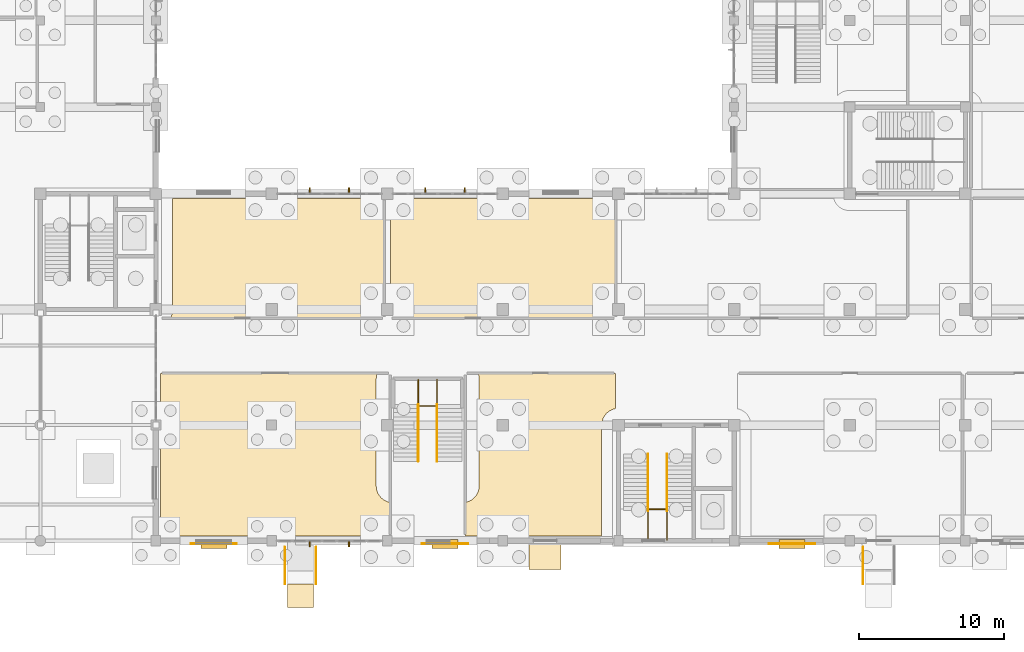
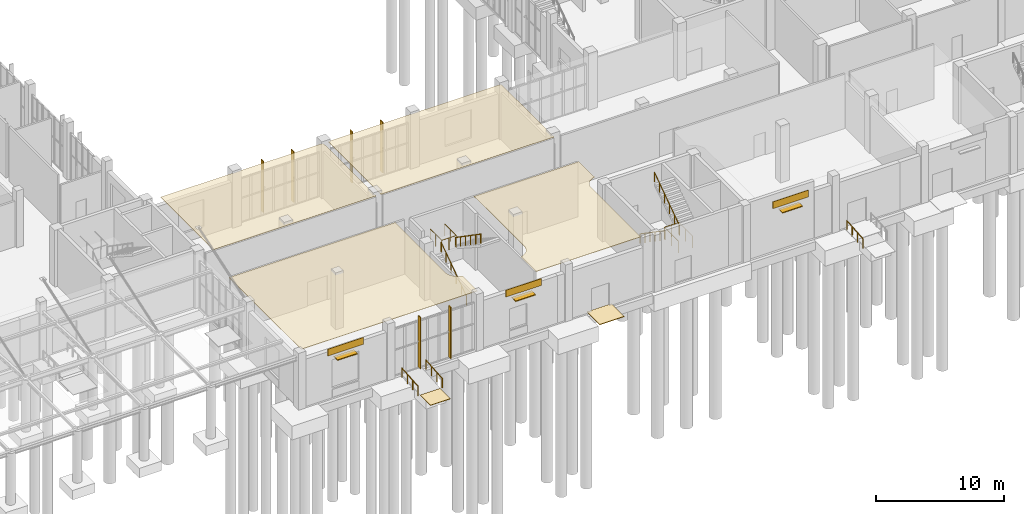
# One storey, part 62 of 69: 9 coverings, 9 railings, 9 shading devices.
"""IFC4 building model written with IfcOpenShell, lengths in metres."""

from ifc_helpers import new_model, si_unit, direction, frame, origin, origin_2d, place, context, subcontext, project, spatial, polyline, rectangle, circle, outline, extrude, material, layer, layer_set, type_object, element, save


model = new_model("IFC4")

# Units and contexts
model_context = context("Model", 3, precision=1e-05, world=origin(), true_north=direction((0.0, 1.0)))
body_context = subcontext(model_context, "Body", "Model", "MODEL_VIEW")
ifc_project = project(units=[si_unit("LENGTHUNIT", "METRE"), si_unit("AREAUNIT", "SQUARE_METRE"), si_unit("VOLUMEUNIT", "CUBIC_METRE"), si_unit("PLANEANGLEUNIT", "RADIAN"), si_unit("MASSUNIT", "GRAM", prefix="KILO")], contexts=[model_context])

# Site, building, storey
site_placement = place(None, origin())
site = spatial("IfcSite", under=ifc_project, at=site_placement, CompositionType="ELEMENT")
building_placement = place(site_placement, origin())
building = spatial("IfcBuilding", under=site, at=building_placement, Name="Solvane Community Centre", CompositionType="ELEMENT")
storey_placement = place(building_placement, origin())
storey = spatial("IfcBuildingStorey", under=building, at=storey_placement, Name="L00", CompositionType="ELEMENT", Elevation=0.0)

# Coverings
ifc_material_1 = material(Name="Acoustic timber slat ceiling", Category="wood")
ifc_layer_1 = layer(ifc_material_1, 0.0400390625)
ifc_layer_set_1 = layer_set([ifc_layer_1], Name="Acoustic timber slat ceiling")
covering_type_1 = type_object("IfcCoveringType", Name="Acoustic Timber Slat Suspended Ceiling", PredefinedType="CEILING", material=ifc_layer_set_1)
covering_1_placement = place(storey_placement, frame((0.0, 0.0, 5.135009765625)))
element("IfcCovering", 1, at=covering_1_placement, inside=storey, type_object=covering_type_1, Name="Acoustic Ceiling L00-20", PredefinedType="CEILING", context=body_context, shape_type="SweptSolid", body=[
    extrude(outline(polyline([(84.179931640625, 6.320068359375), (68.320068359375, 6.320068359375), (68.320068359375, 17.580078125), (83.30419921875, 17.580078125), (83.27685546875, 17.489501953125), (83.27294921875, 17.47412109375), (83.25390625, 17.3779296875), (83.251708984375, 17.3623046875), (83.241943359375, 17.264892578125), (83.2412109375, 17.2490234375), (83.239990234375, 17.199951171875), (83.239990234375, 9.800048828125), (83.2412109375, 9.7509765625), (83.241943359375, 9.735107421875), (83.251708984375, 9.6376953125), (83.25390625, 9.6220703125), (83.27294921875, 9.52587890625), (83.27685546875, 9.510498046875), (83.305419921875, 9.416748046875), (83.310546875, 9.40185546875), (83.34814453125, 9.311279296875), (83.35498046875, 9.297119140625), (83.401123046875, 9.21044921875), (83.4091796875, 9.197021484375), (83.4638671875, 9.115478515625), (83.47314453125, 9.102783203125), (83.535400390625, 9.02685546875), (83.5458984375, 9.015380859375), (83.615234375, 8.94580078125), (83.626953125, 8.935302734375), (83.702880859375, 8.873046875), (83.71533203125, 8.86376953125), (83.797119140625, 8.80908203125), (83.810546875, 8.80126953125), (83.89697265625, 8.7548828125), (83.9111328125, 8.748291015625), (84.001953125, 8.710693359375), (84.0166015625, 8.705322265625), (84.110595703125, 8.677001953125), (84.125732421875, 8.673095703125), (84.179931640625, 8.662353515625), (84.179931640625, 6.320068359375)])), origin(), (0.0, 0.0, 1.0), 0.0400390625),
])
covering_2_placement = place(storey_placement, frame((0.0, 0.0, 5.135009765625)))
element("IfcCovering", 2, at=covering_2_placement, inside=storey, type_object=covering_type_1, Name="Acoustic Ceiling L00-21", PredefinedType="CEILING", context=body_context, shape_type="SweptSolid", body=[
    extrude(outline(polyline([(99.780029296875, 17.580078125), (99.780029296875, 15.1376953125), (99.725830078125, 15.126953125), (99.710693359375, 15.123046875), (99.61669921875, 15.0947265625), (99.601806640625, 15.08935546875), (99.51123046875, 15.0517578125), (99.4970703125, 15.045166015625), (99.410400390625, 14.998779296875), (99.39697265625, 14.99072265625), (99.3154296875, 14.936279296875), (99.302734375, 14.927001953125), (99.226806640625, 14.864501953125), (99.21533203125, 14.85400390625), (99.14599609375, 14.78466796875), (99.135498046875, 14.773193359375), (99.072998046875, 14.697265625), (99.063720703125, 14.6845703125), (99.00927734375, 14.60302734375), (99.001220703125, 14.589599609375), (98.954833984375, 14.5029296875), (98.9482421875, 14.48876953125), (98.91064453125, 14.398193359375), (98.9052734375, 14.38330078125), (98.876953125, 14.289306640625), (98.873046875, 14.274169921875), (98.85400390625, 14.177978515625), (98.8515625, 14.162353515625), (98.842041015625, 14.064697265625), (98.84130859375, 14.049072265625), (98.840087890625, 14.0), (98.840087890625, 6.320068359375), (89.419921875, 6.320068359375), (89.419921875, 8.662353515625), (89.47412109375, 8.673095703125), (89.489501953125, 8.677001953125), (89.583251953125, 8.705322265625), (89.59814453125, 8.710693359375), (89.688720703125, 8.748291015625), (89.702880859375, 8.7548828125), (89.78955078125, 8.80126953125), (89.802978515625, 8.80908203125), (89.884521484375, 8.86376953125), (89.897216796875, 8.873046875), (89.97314453125, 8.935302734375), (89.984619140625, 8.94580078125), (90.05419921875, 9.015380859375), (90.064697265625, 9.02685546875), (90.126953125, 9.102783203125), (90.13623046875, 9.115478515625), (90.19091796875, 9.197021484375), (90.19873046875, 9.21044921875), (90.2451171875, 9.297119140625), (90.251708984375, 9.311279296875), (90.289306640625, 9.40185546875), (90.294677734375, 9.416748046875), (90.322998046875, 9.510498046875), (90.326904296875, 9.52587890625), (90.34619140625, 9.6220703125), (90.348388671875, 9.6376953125), (90.35791015625, 9.735107421875), (90.35888671875, 9.7509765625), (90.360107421875, 9.800048828125), (90.360107421875, 17.199951171875), (90.35888671875, 17.2490234375), (90.35791015625, 17.264892578125), (90.348388671875, 17.3623046875), (90.34619140625, 17.3779296875), (90.326904296875, 17.47412109375), (90.322998046875, 17.489501953125), (90.295654296875, 17.580078125), (99.780029296875, 17.580078125)])), origin(), (0.0, 0.0, 1.0), 0.0400390625),
])
covering_3_placement = place(storey_placement, frame((0.0, 0.0, 5.135009765625)))
element("IfcCovering", 3, at=covering_3_placement, inside=storey, type_object=covering_type_1, Name="Acoustic Ceiling L00-24", PredefinedType="CEILING", context=body_context, shape_type="SweptSolid", body=[
    extrude(outline(polyline([(83.780029296875, 29.679931640625), (83.780029296875, 21.419921875), (69.00390625, 21.419921875), (69.045166015625, 21.4970703125), (69.0517578125, 21.51123046875), (69.08935546875, 21.601806640625), (69.0947265625, 21.61669921875), (69.123046875, 21.710693359375), (69.126953125, 21.725830078125), (69.14599609375, 21.822021484375), (69.1484375, 21.837646484375), (69.157958984375, 21.935302734375), (69.15869140625, 21.950927734375), (69.159912109375, 22.0), (69.159912109375, 29.679931640625), (83.780029296875, 29.679931640625)])), origin(), (0.0, 0.0, 1.0), 0.0400390625),
])
covering_4_placement = place(storey_placement, frame((0.0, 0.0, 5.135009765625)))
element("IfcCovering", 4, at=covering_4_placement, inside=storey, type_object=covering_type_1, Name="Acoustic Ceiling L00-25", PredefinedType="CEILING", context=body_context, shape_type="SweptSolid", body=[
    extrude(outline(polyline([(84.219970703125, 21.419921875), (84.219970703125, 29.679931640625), (99.780029296875, 29.679931640625), (99.780029296875, 21.419921875), (84.219970703125, 21.419921875)])), origin(), (0.0, 0.0, 1.0), 0.0400390625),
])

# Shading devices
ifc_material_2 = material(Name="Anodised bronze aluminium AW-6063 T6", Category="aluminium")
shading_device_type_1 = type_object("IfcShadingDeviceType", Name="Art Deco Bronze Solar Fin 80x360", PredefinedType="USERDEFINED", material=ifc_material_2)
shading_device_1_placement = place(storey_placement, frame((81.360107421875, 5.760009765625, 0.14990234375), z_axis=(0.0, 0.0, 1.0), x_axis=(-1.0, 0.0, 0.0)))
element("IfcShadingDevice", 5, at=shading_device_1_placement, inside=storey, type_object=shading_device_type_1, Name="Solar Brise-Soleil Fin 1", ObjectType="Solar Brise-Soleil Fin 1", PredefinedType="USERDEFINED", context=body_context, shape_type="SweptSolid", body=[
    extrude(rectangle(XDim=0.080078125, YDim=0.360107421875, at=origin_2d()), origin(), (0.0, 0.0, 1.0), 4.860107421875),
])
shading_device_2_placement = place(storey_placement, frame((78.639892578125, 5.760009765625, 0.14990234375), z_axis=(0.0, 0.0, 1.0), x_axis=(-1.0, 0.0, 0.0)))
element("IfcShadingDevice", 6, at=shading_device_2_placement, inside=storey, type_object=shading_device_type_1, Name="Solar Brise-Soleil Fin 2", ObjectType="Solar Brise-Soleil Fin 2", PredefinedType="USERDEFINED", context=body_context, shape_type="SweptSolid", body=[
    extrude(rectangle(XDim=0.080078125, YDim=0.360107421875, at=origin_2d()), origin(), (0.0, 0.0, 1.0), 4.860107421875),
])
shading_device_3_placement = place(storey_placement, frame((78.639892578125, 30.239990234375, 0.14990234375), z_axis=(0.0, 0.0, 1.0), x_axis=(1.0, 0.0, 0.0)))
element("IfcShadingDevice", 7, at=shading_device_3_placement, inside=storey, type_object=shading_device_type_1, Name="Solar Brise-Soleil Fin 21", ObjectType="Solar Brise-Soleil Fin 21", PredefinedType="USERDEFINED", context=body_context, shape_type="SweptSolid", body=[
    extrude(rectangle(XDim=0.080078125, YDim=0.360107421875, at=origin_2d()), origin(), (0.0, 0.0, 1.0), 4.860107421875),
])
shading_device_4_placement = place(storey_placement, frame((81.360107421875, 30.239990234375, 0.14990234375), z_axis=(0.0, 0.0, 1.0), x_axis=(1.0, 0.0, 0.0)))
element("IfcShadingDevice", 8, at=shading_device_4_placement, inside=storey, type_object=shading_device_type_1, Name="Solar Brise-Soleil Fin 22", ObjectType="Solar Brise-Soleil Fin 22", PredefinedType="USERDEFINED", context=body_context, shape_type="SweptSolid", body=[
    extrude(rectangle(XDim=0.080078125, YDim=0.360107421875, at=origin_2d()), origin(), (0.0, 0.0, 1.0), 4.860107421875),
])
shading_device_5_placement = place(storey_placement, frame((86.639892578125, 30.239990234375, 0.14990234375), z_axis=(0.0, 0.0, 1.0), x_axis=(1.0, 0.0, 0.0)))
element("IfcShadingDevice", 9, at=shading_device_5_placement, inside=storey, type_object=shading_device_type_1, Name="Solar Brise-Soleil Fin 23", ObjectType="Solar Brise-Soleil Fin 23", PredefinedType="USERDEFINED", context=body_context, shape_type="SweptSolid", body=[
    extrude(rectangle(XDim=0.080078125, YDim=0.360107421875, at=origin_2d()), origin(), (0.0, 0.0, 1.0), 4.860107421875),
])
shading_device_6_placement = place(storey_placement, frame((89.360107421875, 30.239990234375, 0.14990234375), z_axis=(0.0, 0.0, 1.0), x_axis=(1.0, 0.0, 0.0)))
element("IfcShadingDevice", 10, at=shading_device_6_placement, inside=storey, type_object=shading_device_type_1, Name="Solar Brise-Soleil Fin 24", ObjectType="Solar Brise-Soleil Fin 24", PredefinedType="USERDEFINED", context=body_context, shape_type="SweptSolid", body=[
    extrude(rectangle(XDim=0.080078125, YDim=0.360107421875, at=origin_2d()), origin(), (0.0, 0.0, 1.0), 4.860107421875),
])

# Railings
railing_type_1 = type_object("IfcRailingType", Name="Interior Gallery & Stair Well Guard 1150mm", PredefinedType="BALUSTRADE", material=ifc_material_2)
railing_1_placement = place(storey_placement, frame((102.050048828125, 6.06005859375, 2.699951171875)))
element("IfcRailing", 11, at=railing_1_placement, inside=storey, type_object=railing_type_1, Name="Railing GR-L00-022", PredefinedType="BALUSTRADE", context=body_context, shape_type="SweptSolid", body=[
    extrude(circle(Radius=0.02392578125, at=origin_2d()), frame((0.0, 0.0, 1.1259765625), z_axis=(0.0, 1.0, 0.0), x_axis=(-1.0, 0.0, 0.0)), (0.0, 0.0, 1.0), 2.119873046875),
    extrude(circle(Radius=0.02392578125, at=origin_2d()), frame((0.0, 2.119873046875, 1.1259765625), z_axis=(1.0, 0.0, 0.0), x_axis=(0.0, 1.0, 0.0)), (0.0, 0.0, 1.0), 1.300048828125),
    extrude(circle(Radius=0.02392578125, at=origin_2d()), frame((1.300048828125, 2.119873046875, 1.1259765625), z_axis=(0.0, -1.0, 0.0), x_axis=(1.0, 0.0, 0.0)), (0.0, 0.0, 1.0), 2.119873046875),
    extrude(circle(Radius=0.02099609375, at=origin_2d()), origin(), (0.0, 0.0, 1.0), 1.101806640625),
    extrude(circle(Radius=0.02099609375, at=origin_2d()), frame((0.0, 1.06005859375, 0.0)), (0.0, 0.0, 1.0), 1.101806640625),
    extrude(circle(Radius=0.02099609375, at=origin_2d()), frame((0.0, 2.119873046875, 0.0)), (0.0, 0.0, 1.0), 1.101806640625),
    extrude(circle(Radius=0.02099609375, at=origin_2d()), frame((0.64990234375, 2.119873046875, 0.0)), (0.0, 0.0, 1.0), 1.101806640625),
    extrude(circle(Radius=0.02099609375, at=origin_2d()), frame((1.300048828125, 2.119873046875, 0.0)), (0.0, 0.0, 1.0), 1.101806640625),
    extrude(circle(Radius=0.02099609375, at=origin_2d()), frame((1.300048828125, 1.06005859375, 0.0)), (0.0, 0.0, 1.0), 1.101806640625),
    extrude(circle(Radius=0.02099609375, at=origin_2d()), frame((1.300048828125, 0.0, 0.0)), (0.0, 0.0, 1.0), 1.101806640625),
])
railing_2_placement = place(storey_placement, frame((86.14990234375, 17.139892578125, 2.699951171875)))
element("IfcRailing", 12, at=railing_2_placement, inside=storey, type_object=railing_type_1, Name="Railing GR-L00-110", PredefinedType="BALUSTRADE", context=body_context, shape_type="SweptSolid", body=[
    extrude(circle(Radius=0.02392578125, at=origin_2d()), frame((0.0, 0.0, 1.1259765625), z_axis=(0.0, -1.0, 0.0), x_axis=(1.0, 0.0, 0.0)), (0.0, 0.0, 1.0), 1.81982421875),
    extrude(circle(Radius=0.02392578125, at=origin_2d()), frame((0.0, -1.81982421875, 1.1259765625), z_axis=(1.0, 0.0, 0.0), x_axis=(0.0, 1.0, 0.0)), (0.0, 0.0, 1.0), 1.300048828125),
    extrude(circle(Radius=0.02392578125, at=origin_2d()), frame((1.300048828125, -1.81982421875, 1.1259765625), z_axis=(0.0, 1.0, 0.0), x_axis=(-1.0, 0.0, 0.0)), (0.0, 0.0, 1.0), 1.81982421875),
    extrude(circle(Radius=0.02099609375, at=origin_2d()), origin(), (0.0, 0.0, 1.0), 1.101806640625),
    extrude(circle(Radius=0.02099609375, at=origin_2d()), frame((0.0, -0.909912109375, 0.0)), (0.0, 0.0, 1.0), 1.101806640625),
    extrude(circle(Radius=0.02099609375, at=origin_2d()), frame((0.0, -1.81982421875, 0.0)), (0.0, 0.0, 1.0), 1.101806640625),
    extrude(circle(Radius=0.02099609375, at=origin_2d()), frame((0.64990234375, -1.81982421875, 0.0)), (0.0, 0.0, 1.0), 1.101806640625),
    extrude(circle(Radius=0.02099609375, at=origin_2d()), frame((1.300048828125, -1.81982421875, 0.0)), (0.0, 0.0, 1.0), 1.101806640625),
    extrude(circle(Radius=0.02099609375, at=origin_2d()), frame((1.300048828125, -0.909912109375, 0.0)), (0.0, 0.0, 1.0), 1.101806640625),
    extrude(circle(Radius=0.02099609375, at=origin_2d()), frame((1.300048828125, 0.0, 0.0)), (0.0, 0.0, 1.0), 1.101806640625),
])
railing_type_2 = type_object("IfcRailingType", Name="Ramp Handrail 900mm", PredefinedType="HANDRAIL", material=ifc_material_2)
for number, where, name in (
    (13, (79.080078125, 3.0, -0.239990234375), "Ramp Handrail RMP-03"),
    (14, (76.919921875, 3.0, -0.239990234375), "Ramp Handrail RMP-03"),
    (15, (116.919921875, 3.0, -0.239990234375), "Ramp Handrail RMP-04"),
):
    element("IfcRailing", number, at=place(storey_placement, frame(where)), inside=storey, type_object=railing_type_2, Name=name, PredefinedType="HANDRAIL", context=body_context, shape_type="SweptSolid", body=[
        extrude(circle(Radius=0.02392578125, at=origin_2d()), frame((0.0, 0.0, 0.8759765625), z_axis=(0.0, 0.99693998236, 0.078170784639), x_axis=(-1.0, 0.0, 0.0)), (0.0, 0.0, 1.0), 2.557861328125),
        extrude(circle(Radius=0.02099609375, at=origin_2d()), origin(), (0.0, 0.0, 1.0), 0.851806640625),
        extrude(circle(Radius=0.02099609375, at=origin_2d()), frame((0.0, 0.85009765625, 0.066650390625)), (0.0, 0.0, 1.0), 0.851806640625),
        extrude(circle(Radius=0.02099609375, at=origin_2d()), frame((0.0, 1.699951171875, 0.13330078125)), (0.0, 0.0, 1.0), 0.851806640625),
        extrude(circle(Radius=0.02099609375, at=origin_2d()), frame((0.0, 2.550048828125, 0.199951171875)), (0.0, 0.0, 1.0), 0.851806640625),
    ])
railing_type_3 = type_object("IfcRailingType", Name="Stair Pitch Handrail 900mm", PredefinedType="HANDRAIL", material=ifc_material_2)
railing_3_placement = place(storey_placement, frame((102.050048828125, 12.0, 0.0)))
element("IfcRailing", 16, at=railing_3_placement, inside=storey, type_object=railing_type_3, Name="Railing HR-L00-020", PredefinedType="HANDRAIL", context=body_context, shape_type="SweptSolid", body=[
    extrude(circle(Radius=0.02392578125, at=origin_2d()), frame((0.0, 0.0, 0.8759765625), z_axis=(0.0, -0.823550731654, 0.567242622158), x_axis=(1.0, 0.0, 0.0)), (0.0, 0.0, 1.0), 4.759765625),
    extrude(circle(Radius=0.02099609375, at=origin_2d()), origin(), (0.0, 0.0, 1.0), 0.851806640625),
    extrude(circle(Radius=0.02099609375, at=origin_2d()), frame((0.0, -0.783935546875, 0.5400390625)), (0.0, 0.0, 1.0), 0.851806640625),
    extrude(circle(Radius=0.02099609375, at=origin_2d()), frame((0.0, -1.56787109375, 1.080078125)), (0.0, 0.0, 1.0), 0.851806640625),
    extrude(circle(Radius=0.02099609375, at=origin_2d()), frame((0.0, -2.35205078125, 1.619873046875)), (0.0, 0.0, 1.0), 0.851806640625),
    extrude(circle(Radius=0.02099609375, at=origin_2d()), frame((0.0, -3.135986328125, 2.159912109375)), (0.0, 0.0, 1.0), 0.851806640625),
    extrude(circle(Radius=0.02099609375, at=origin_2d()), frame((0.0, -3.919921875, 2.699951171875)), (0.0, 0.0, 1.0), 0.851806640625),
])
for number, where, name in (
    (17, (103.35009765625, 8.080078125, 2.699951171875), "Railing HR-L00-021"),
    (18, (86.14990234375, 11.5, 0.0), "Railing HR-L00-108"),
):
    element("IfcRailing", number, at=place(storey_placement, frame(where)), inside=storey, type_object=railing_type_3, Name=name, PredefinedType="HANDRAIL", context=body_context, shape_type="SweptSolid", body=[
        extrude(circle(Radius=0.02392578125, at=origin_2d()), frame((0.0, 0.0, 0.8759765625), z_axis=(0.0, 0.823550731654, 0.567242622158), x_axis=(-1.0, 0.0, 0.0)), (0.0, 0.0, 1.0), 4.759765625),
        extrude(circle(Radius=0.02099609375, at=origin_2d()), origin(), (0.0, 0.0, 1.0), 0.851806640625),
        extrude(circle(Radius=0.02099609375, at=origin_2d()), frame((0.0, 0.783935546875, 0.5400390625)), (0.0, 0.0, 1.0), 0.851806640625),
        extrude(circle(Radius=0.02099609375, at=origin_2d()), frame((0.0, 1.56787109375, 1.080078125)), (0.0, 0.0, 1.0), 0.851806640625),
        extrude(circle(Radius=0.02099609375, at=origin_2d()), frame((0.0, 2.35205078125, 1.619873046875)), (0.0, 0.0, 1.0), 0.851806640625),
        extrude(circle(Radius=0.02099609375, at=origin_2d()), frame((0.0, 3.135986328125, 2.159912109375)), (0.0, 0.0, 1.0), 0.851806640625),
        extrude(circle(Radius=0.02099609375, at=origin_2d()), frame((0.0, 3.919921875, 2.699951171875)), (0.0, 0.0, 1.0), 0.851806640625),
    ])
railing_4_placement = place(storey_placement, frame((87.449951171875, 15.419921875, 2.699951171875)))
element("IfcRailing", 19, at=railing_4_placement, inside=storey, type_object=railing_type_3, Name="Railing HR-L00-109", PredefinedType="HANDRAIL", context=body_context, shape_type="SweptSolid", body=[
    extrude(circle(Radius=0.02392578125, at=origin_2d()), frame((0.0, 0.0, 0.8759765625), z_axis=(0.0, -0.823550731654, 0.567242622158), x_axis=(1.0, 0.0, 0.0)), (0.0, 0.0, 1.0), 4.759765625),
    extrude(circle(Radius=0.02099609375, at=origin_2d()), origin(), (0.0, 0.0, 1.0), 0.851806640625),
    extrude(circle(Radius=0.02099609375, at=origin_2d()), frame((0.0, -0.783935546875, 0.5400390625)), (0.0, 0.0, 1.0), 0.851806640625),
    extrude(circle(Radius=0.02099609375, at=origin_2d()), frame((0.0, -1.56787109375, 1.080078125)), (0.0, 0.0, 1.0), 0.851806640625),
    extrude(circle(Radius=0.02099609375, at=origin_2d()), frame((0.0, -2.35205078125, 1.619873046875)), (0.0, 0.0, 1.0), 0.851806640625),
    extrude(circle(Radius=0.02099609375, at=origin_2d()), frame((0.0, -3.135986328125, 2.159912109375)), (0.0, 0.0, 1.0), 0.851806640625),
    extrude(circle(Radius=0.02099609375, at=origin_2d()), frame((0.0, -3.919921875, 2.699951171875)), (0.0, 0.0, 1.0), 0.851806640625),
])

# Coverings
ifc_material_3 = material(Name="Precast concrete C35/45", Category="concrete")
ifc_layer_2 = layer(ifc_material_3, 0.0400390625)
ifc_layer_set_2 = layer_set([ifc_layer_2], Name="Precast concrete C35/45")
covering_type_2 = type_object("IfcCoveringType", Name="Stone Entrance Threshold Apron", PredefinedType="FLOORING", material=ifc_layer_set_2)
covering_5_placement = place(storey_placement, frame((0.0, 0.0, -0.0400390625)))
element("IfcCovering", 20, at=covering_5_placement, inside=storey, type_object=covering_type_2, Name="Entrance Threshold Apron L00-ED06", PredefinedType="FLOORING", context=body_context, shape_type="SweptSolid", body=[
    extrude(outline(polyline([(96.023193359375, 6.0), (93.8232421875, 6.0), (93.8232421875, 4.0), (96.023193359375, 4.0), (96.023193359375, 6.0)])), origin(), (0.0, 0.0, 1.0), 0.0400390625),
])
covering_6_placement = place(storey_placement, frame((0.0, 0.0, -0.280029296875)))
element("IfcCovering", 21, at=covering_6_placement, inside=storey, type_object=covering_type_2, Name="Ramp Base Landing RMP-03", PredefinedType="FLOORING", context=body_context, shape_type="SweptSolid", body=[
    extrude(outline(polyline([(78.89990234375, 1.39990234375), (78.89990234375, 3.0), (77.10009765625, 3.0), (77.10009765625, 1.39990234375), (78.89990234375, 1.39990234375)])), origin(), (0.0, 0.0, 1.0), 0.0400390625),
])
ifc_material_4 = material(Name="Terracotta clay masonry", Category="masonry")
ifc_layer_3 = layer(ifc_material_4, 0.044921875)
ifc_layer_set_3 = layer_set([ifc_layer_3], Name="Terracotta clay masonry")
covering_type_3 = type_object("IfcCoveringType", Name="Terracotta Fluted Rainscreen Band", PredefinedType="CLADDING", material=ifc_layer_set_3)
for number, where, z_axis, x_axis, name in (
    (22, (72.0, 5.7900390625, 4.125), (0.0, 0.0, 1.0), (1.0, 0.0, 0.0), "Terracotta Rainscreen Band 1"),
    (23, (88.0, 5.7900390625, 4.125), (0.0, 0.0, 1.0), (1.0, 0.0, 0.0), "Terracotta Rainscreen Band 2"),
    (24, (112.0, 5.7900390625, 4.125), (0.0, 0.0, 1.0), (1.0, 0.0, 0.0), "Terracotta Rainscreen Band 3"),
):
    element("IfcCovering", number, at=place(storey_placement, frame(where, z_axis=z_axis, x_axis=x_axis)), inside=storey, type_object=covering_type_3, Name=name, PredefinedType="CLADDING", context=body_context, shape_type="SweptSolid", body=[
        extrude(rectangle(XDim=3.199951171875, YDim=0.044921875, at=origin_2d()), origin(), (0.0, 0.0, 1.0), 0.64990234375),
    ])

# Shading devices
shading_device_type_2 = type_object("IfcShadingDeviceType", Name="Window Sun-Hood Awning 1800x600", PredefinedType="AWNING", material=ifc_material_2)
for number, where, z_axis, x_axis, name in (
    (25, (72.0, 5.780029296875, 3.60986328125), (0.0, 0.0, 1.0), (1.0, 0.0, 0.0), "Art Deco Window Awning 1"),
    (26, (88.0, 5.780029296875, 3.60986328125), (0.0, 0.0, 1.0), (1.0, 0.0, 0.0), "Art Deco Window Awning 2"),
    (27, (112.0, 5.780029296875, 3.60986328125), (0.0, 0.0, 1.0), (1.0, 0.0, 0.0), "Art Deco Window Awning 3"),
):
    element("IfcShadingDevice", number, at=place(storey_placement, frame(where, z_axis=z_axis, x_axis=x_axis)), inside=storey, type_object=shading_device_type_2, Name=name, PredefinedType="AWNING", context=body_context, shape_type="SweptSolid", body=[
        extrude(rectangle(XDim=1.800048828125, YDim=0.60009765625, at=origin_2d()), origin(), (0.0, 0.0, 1.0), 0.080078125),
    ])

save(model, "model.ifc")
